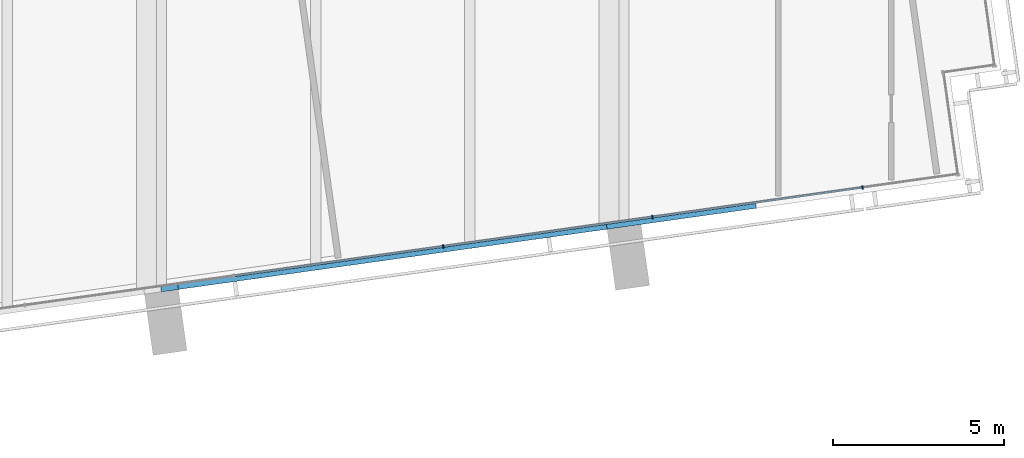
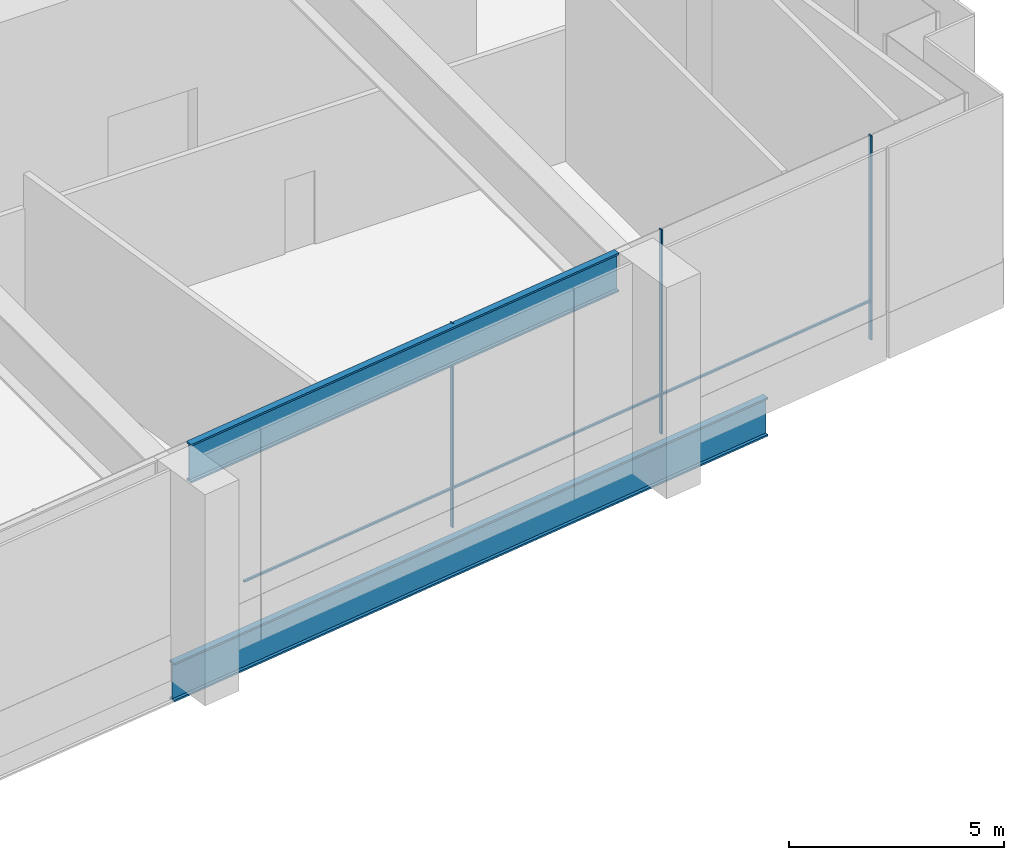
# One storey, part 6 of 25: 6 members, 2 beams, 2 elements without a shape of their own.
"""IFC4 building model written with IfcOpenShell, lengths in metres."""

from ifc_helpers import new_model, si_unit, direction, frame, origin, origin_2d, place, context, subcontext, project, spatial, rectangle, i_section, extrude, material, layer, layer_set, material_profile, profile_set, type_object, element, aggregate, save


model = new_model("IFC4")

# Units and contexts
model_context = context("Model", 3, precision=1e-05, world=origin(), true_north=direction((0.0, 1.0)))
body_context = subcontext(model_context, "Body", "Model", "MODEL_VIEW")
ifc_project = project(units=[si_unit("LENGTHUNIT", "METRE"), si_unit("AREAUNIT", "SQUARE_METRE"), si_unit("VOLUMEUNIT", "CUBIC_METRE"), si_unit("PLANEANGLEUNIT", "RADIAN"), si_unit("MASSUNIT", "GRAM", prefix="KILO")], contexts=[model_context])

# Site, building, storey
site_placement = place(None, origin())
site = spatial("IfcSite", under=ifc_project, at=site_placement, CompositionType="ELEMENT")
building_placement = place(site_placement, origin())
building = spatial("IfcBuilding", under=site, at=building_placement, Name="Rattan Terrace Tower", CompositionType="ELEMENT")
storey_placement = place(building_placement, frame((0.0, 0.0, 286.300048828125)))
storey = spatial("IfcBuildingStorey", under=building, at=storey_placement, Name="L66", CompositionType="ELEMENT", Elevation=286.300048828125)

# Beams
ifc_material_1 = material(Name="Steel S460", Category="steel")
ifc_material_profile_1 = material_profile(ifc_material_1, i_section(OverallWidth=0.179931640625, OverallDepth=1.10009765625, WebThickness=0.01611328125, FlangeThickness=0.050048828125, at=origin_2d()), Name="PG 1100x180-16-50")
ifc_profile_set_1 = profile_set([ifc_material_profile_1], Name="Steel S460")
beam_type_1 = type_object("IfcBeamType", Name="Frame edge girder PG 1100x180-16-50", PredefinedType="SPANDREL", material=ifc_profile_set_1)
beam_1_placement = place(storey_placement, frame((17.347900390625, -22.087890625, -0.75), z_axis=(-0.990265878298, -0.139188685889, 0.0), x_axis=(0.139188685889, -0.990265878298, 0.0)))
element("IfcBeam", 1, at=beam_1_placement, inside=storey, type_object=beam_type_1, Name="gdr-L66-002", PredefinedType="SPANDREL", context=body_context, shape_type="SweptSolid", body=[
    extrude(i_section(OverallWidth=0.179931640625, OverallDepth=1.10009765625, WebThickness=0.01611328125, FlangeThickness=0.050048828125, at=origin_2d()), origin(), (0.0, 0.0, 1.0), 17.531494140625),
])
ifc_material_2 = material(Name="Steel S460", Category="steel")
ifc_material_profile_2 = material_profile(ifc_material_2, i_section(OverallWidth=0.179931640625, OverallDepth=1.10009765625, WebThickness=0.01611328125, FlangeThickness=0.050048828125, at=origin_2d()), Name="PG 1100x180-16-50")
ifc_profile_set_2 = profile_set([ifc_material_profile_2], Name="Steel S460")
beam_type_2 = type_object("IfcBeamType", Name="Frame transfer girder PG 1100x180-16-50", PredefinedType="USERDEFINED", material=ifc_profile_set_2)
beam_2_placement = place(storey_placement, frame((0.48291015625, -24.4580078125, 5.25), z_axis=(0.990267777729, 0.139175171603, 0.0), x_axis=(-0.139175171603, 0.990267777729, 0.0)))
element("IfcBeam", 2, at=beam_2_placement, inside=storey, type_object=beam_type_2, Name="trf-L66-006", ObjectType="TRANSFER GIRDER", PredefinedType="USERDEFINED", context=body_context, shape_type="SweptSolid", body=[
    extrude(i_section(OverallWidth=0.179931640625, OverallDepth=1.10009765625, WebThickness=0.01611328125, FlangeThickness=0.050048828125, at=origin_2d()), origin(), (0.0, 0.0, 1.0), 12.632080078125),
])

# Curtain wall, member
ifc_material_3 = material(Name="Aluminium and structural silicone glass", Category="aluminium")
ifc_layer = layer(ifc_material_3, 0.10009765625)
ifc_layer_set = layer_set([ifc_layer], Name="Observation Structural Silicone Curtain Wall")
curtain_wall_type = type_object("IfcCurtainWallType", Name="Observation Structural Silicone Curtain Wall", PredefinedType="NOTDEFINED", material=ifc_layer_set)
curtain_wall_1_placement = place(storey_placement, origin())
curtain_wall_1 = element("IfcCurtainWall", 3, at=curtain_wall_1_placement, inside=storey, type_object=curtain_wall_type, Name="Observation curtain wall L66-1", PredefinedType="NOTDEFINED")
ifc_material_4 = material(Name="Aluminium", Category="aluminium")
ifc_material_profile_3 = material_profile(ifc_material_4, rectangle(XDim=0.0400390625, YDim=0.10009765625, at=origin_2d()), Name="Aluminium 40x100")
ifc_profile_set_3 = profile_set([ifc_material_profile_3], Name="Aluminium")
member_type_1 = type_object("IfcMemberType", Name="Observation CW Mullion 40x100", PredefinedType="MULLION", material=ifc_profile_set_3)
member_1_placement = place(storey_placement, frame((20.460205078125, -21.56884765625, 0.0), z_axis=(0.0, 0.0, 1.0), x_axis=(0.990293172258, 0.138994363123, 0.0)))
member_1 = element("IfcMember", 4, at=member_1_placement, type_object=member_type_1, Name="Mullion cwl-L66-001.1", PredefinedType="MULLION", context=body_context, shape_type="SweptSolid", body=[
    extrude(rectangle(XDim=0.0400390625, YDim=0.10009765625, at=origin_2d()), origin(), (0.0, 0.0, 1.0), 5.800048828125),
])
aggregate(curtain_wall_1, [member_1])

# Curtain wall, members
curtain_wall_2_placement = place(storey_placement, origin())
curtain_wall_2 = element("IfcCurtainWall", 5, at=curtain_wall_2_placement, inside=storey, type_object=curtain_wall_type, Name="Observation curtain wall L66-24", PredefinedType="NOTDEFINED")
member_2_placement = place(storey_placement, frame((8.224365234375, -23.288818359375, 0.0), z_axis=(0.0, 0.0, 1.0), x_axis=(0.990265894013, 0.139188574079, 0.0)))
member_2 = element("IfcMember", 6, at=member_2_placement, type_object=member_type_1, Name="Mullion cwl-L66-024.5", PredefinedType="MULLION", context=body_context, shape_type="SweptSolid", body=[
    extrude(rectangle(XDim=0.0400390625, YDim=0.10009765625, at=origin_2d()), origin(), (0.0, 0.0, 1.0), 5.800048828125),
])
member_3_placement = place(storey_placement, frame((14.330322265625, -22.430419921875, 0.0), z_axis=(0.0, 0.0, 1.0), x_axis=(0.990265894013, 0.139188574079, 0.0)))
member_3 = element("IfcMember", 7, at=member_3_placement, type_object=member_type_1, Name="Mullion cwl-L66-024.6", PredefinedType="MULLION", context=body_context, shape_type="SweptSolid", body=[
    extrude(rectangle(XDim=0.0400390625, YDim=0.10009765625, at=origin_2d()), origin(), (0.0, 0.0, 1.0), 5.800048828125),
])
ifc_material_5 = material(Name="Aluminium", Category="aluminium")
ifc_material_profile_4 = material_profile(ifc_material_5, rectangle(XDim=0.06005859375, YDim=0.050048828125, at=origin_2d()), Name="Aluminium 60x50")
ifc_profile_set_4 = profile_set([ifc_material_profile_4], Name="Aluminium")
member_type_2 = type_object("IfcMemberType", Name="Observation CW Transom 60x50", PredefinedType="USERDEFINED", material=ifc_profile_set_4)
member_4_placement = place(storey_placement, frame((2.13818359375, -24.14404296875, 1.099853515625), z_axis=(0.990268168268, 0.139172392788, 0.0), x_axis=(-0.139172392788, 0.990268168268, 0.0)))
member_4 = element("IfcMember", 8, at=member_4_placement, type_object=member_type_2, Name="Transom cwl-L66-024.4", ObjectType="TRANSOM", PredefinedType="USERDEFINED", context=body_context, shape_type="SweptSolid", body=[
    extrude(rectangle(XDim=0.06005859375, YDim=0.050048828125, at=origin_2d()), origin(), (0.0, 0.0, 1.0), 6.125732421875),
])
member_5_placement = place(storey_placement, frame((8.244140625, -23.285888671875, 1.099853515625), z_axis=(0.990268940165, 0.139166900316, 0.0), x_axis=(-0.139166900316, 0.990268940165, 0.0)))
member_5 = element("IfcMember", 9, at=member_5_placement, type_object=member_type_2, Name="Transom cwl-L66-024.5", ObjectType="TRANSOM", PredefinedType="USERDEFINED", context=body_context, shape_type="SweptSolid", body=[
    extrude(rectangle(XDim=0.06005859375, YDim=0.050048828125, at=origin_2d()), origin(), (0.0, 0.0, 1.0), 6.1259765625),
])
member_6_placement = place(storey_placement, frame((14.35009765625, -22.427734375, 1.099853515625), z_axis=(0.990262223119, 0.139214688386, 0.0), x_axis=(-0.139214688386, 0.990262223119, 0.0)))
member_6 = element("IfcMember", 10, at=member_6_placement, type_object=member_type_2, Name="Transom cwl-L66-024.6", ObjectType="TRANSOM", PredefinedType="USERDEFINED", context=body_context, shape_type="SweptSolid", body=[
    extrude(rectangle(XDim=0.06005859375, YDim=0.050048828125, at=origin_2d()), origin(), (0.0, 0.0, 1.0), 6.150146484375),
])
aggregate(curtain_wall_2, [member_2, member_3, member_4, member_5, member_6])

save(model, "model.ifc")
